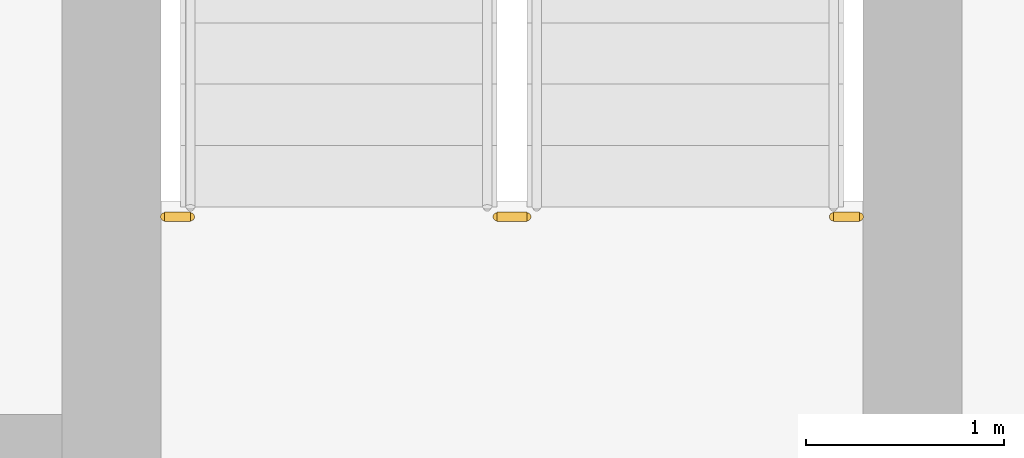
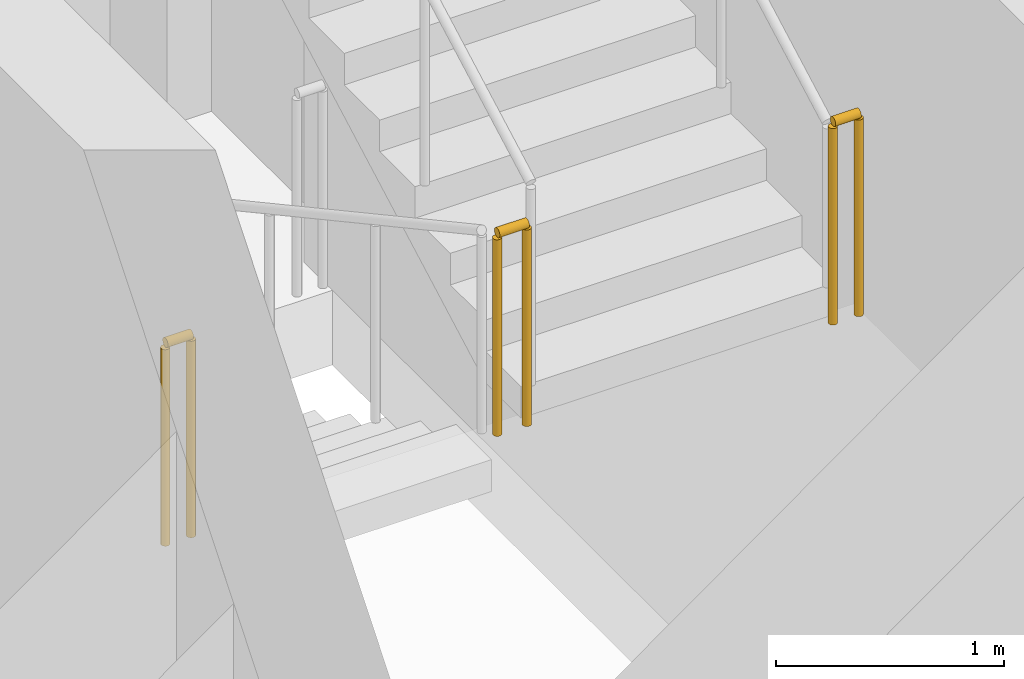
# One storey, part 28 of 30: 3 railings.
"""IFC4 building model written with IfcOpenShell, lengths in metres."""

from ifc_helpers import new_model, si_unit, direction, frame, origin, origin_2d, place, context, subcontext, project, spatial, circle, extrude, material, type_object, element, save


model = new_model("IFC4")

# Units and contexts
model_context = context("Model", 3, precision=1e-05, world=origin(), true_north=direction((0.0, 1.0)))
body_context = subcontext(model_context, "Body", "Model", "MODEL_VIEW")
ifc_project = project(units=[si_unit("LENGTHUNIT", "METRE"), si_unit("AREAUNIT", "SQUARE_METRE"), si_unit("VOLUMEUNIT", "CUBIC_METRE"), si_unit("PLANEANGLEUNIT", "RADIAN"), si_unit("MASSUNIT", "GRAM", prefix="KILO")], contexts=[model_context])

# Site, building, storey
site_placement = place(None, origin())
site = spatial("IfcSite", under=ifc_project, at=site_placement, CompositionType="ELEMENT")
building_placement = place(site_placement, origin())
building = spatial("IfcBuilding", under=site, at=building_placement, Name="Madar Terraces", CompositionType="ELEMENT")
storey_placement = place(building_placement, frame((0.0, 0.0, 173.5)))
storey = spatial("IfcBuildingStorey", under=building, at=storey_placement, Name="L45", CompositionType="ELEMENT", Elevation=173.5)

# Railings
ifc_material = material(Name="Stainless steel railing", Category="steel")
railing_type = type_object("IfcRailingType", Name="Stair guard 1100", PredefinedType="GUARDRAIL", material=ifc_material)
railing_1_placement = place(storey_placement, frame((41.25, 30.5, 2.699951171875)))
element("IfcRailing", 1, at=railing_1_placement, inside=storey, type_object=railing_type, Name="L45 ST2 stair guard 2", PredefinedType="GUARDRAIL", context=body_context, shape_type="SweptSolid", body=[
    extrude(circle(Radius=0.02392578125, at=origin_2d()), frame((0.0, 0.0, 1.076171875), z_axis=(1.0, 0.0, 0.0), x_axis=(0.0, 1.0, 0.0)), (0.0, 0.0, 1.0), 0.14990234375),
    extrude(circle(Radius=0.02099609375, at=origin_2d()), origin(), (0.0, 0.0, 1.0), 1.052001953125),
    extrude(circle(Radius=0.02099609375, at=origin_2d()), frame((0.14990234375, 0.0, 0.0)), (0.0, 0.0, 1.0), 1.052001953125),
])
railing_2_placement = place(storey_placement, frame((39.570068359375, 30.5, 2.699951171875)))
element("IfcRailing", 2, at=railing_2_placement, inside=storey, type_object=railing_type, Name="L45 stair guard seat 1", PredefinedType="GUARDRAIL", context=body_context, shape_type="SweptSolid", body=[
    extrude(circle(Radius=0.02392578125, at=origin_2d()), frame((0.0, 0.0, 1.076171875), z_axis=(1.0, 0.0, 0.0), x_axis=(0.0, 1.0, 0.0)), (0.0, 0.0, 1.0), 0.1298828125),
    extrude(circle(Radius=0.02099609375, at=origin_2d()), origin(), (0.0, 0.0, 1.0), 1.052001953125),
    extrude(circle(Radius=0.02099609375, at=origin_2d()), frame((0.1298828125, 0.0, 0.0)), (0.0, 0.0, 1.0), 1.052001953125),
])
railing_3_placement = place(storey_placement, frame((42.949951171875, 30.5, 2.699951171875)))
element("IfcRailing", 3, at=railing_3_placement, inside=storey, type_object=railing_type, Name="L45 stair guard seat 2", PredefinedType="GUARDRAIL", context=body_context, shape_type="SweptSolid", body=[
    extrude(circle(Radius=0.02392578125, at=origin_2d()), frame((0.0, 0.0, 1.076171875), z_axis=(1.0, 0.0, 0.0), x_axis=(0.0, 1.0, 0.0)), (0.0, 0.0, 1.0), 0.130126953125),
    extrude(circle(Radius=0.02099609375, at=origin_2d()), origin(), (0.0, 0.0, 1.0), 1.052001953125),
    extrude(circle(Radius=0.02099609375, at=origin_2d()), frame((0.130126953125, 0.0, 0.0)), (0.0, 0.0, 1.0), 1.052001953125),
])

save(model, "model.ifc")
